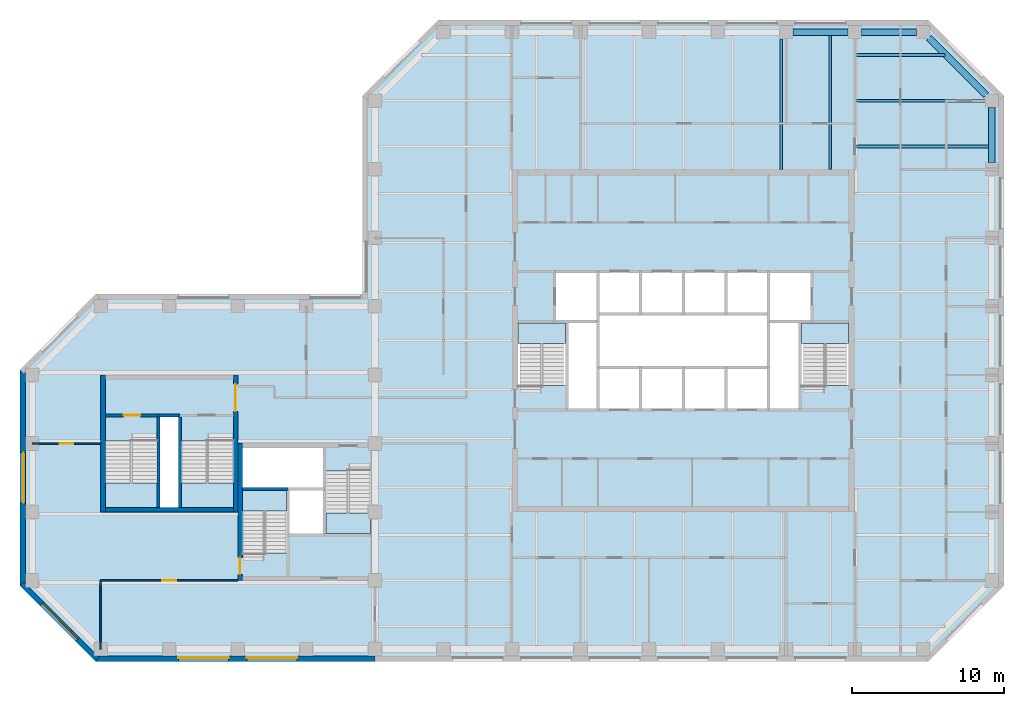
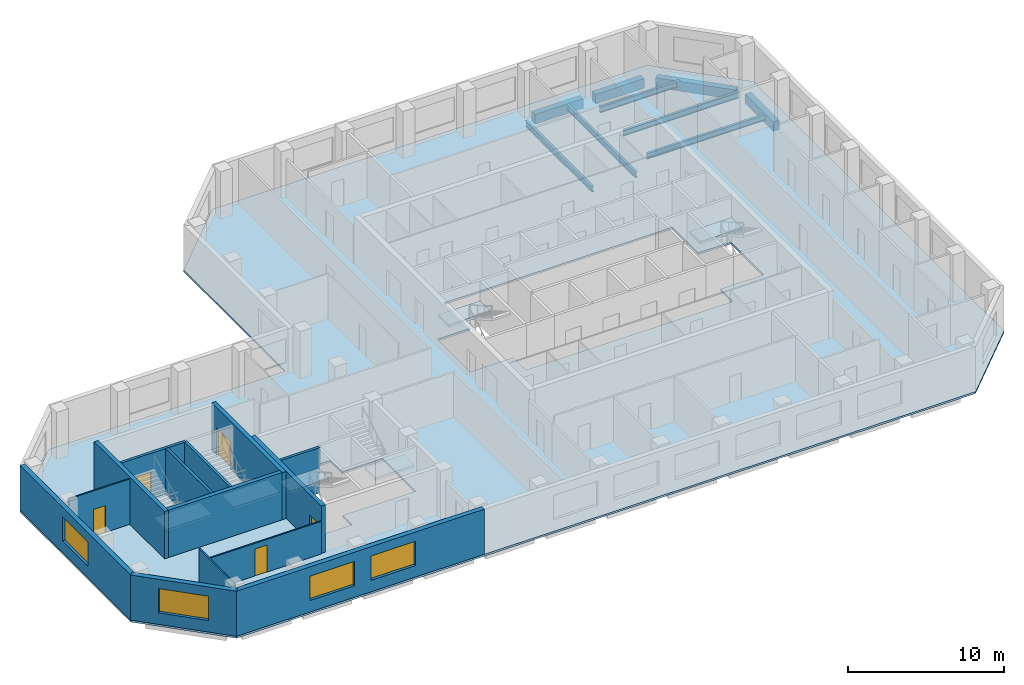
# One storey, part 2 of 9: 15 walls, 9 beams, 7 slabs, 5 doors, 4 windows, 9 openings, 6 elements without a shape of their own.
"""IFC4 building model written with IfcOpenShell, lengths in metres."""

from ifc_helpers import new_model, si_unit, direction, frame, frame_2d, origin, origin_2d, place, context, subcontext, project, spatial, polyline, rectangle, i_section, outline, extrude, material, layer, layer_set, constituent, constituent_set, material_profile, profile_set, type_object, element, fill, aggregate, save


model = new_model("IFC4")

# Units and contexts
model_context = context("Model", 3, precision=1e-05, world=origin(), true_north=direction((0.0, 1.0)))
body_context = subcontext(model_context, "Body", "Model", "MODEL_VIEW")
ifc_project = project(units=[si_unit("LENGTHUNIT", "METRE"), si_unit("AREAUNIT", "SQUARE_METRE"), si_unit("VOLUMEUNIT", "CUBIC_METRE"), si_unit("PLANEANGLEUNIT", "RADIAN"), si_unit("MASSUNIT", "GRAM", prefix="KILO")], contexts=[model_context])

# Site, building, storey
site_placement = place(None, origin())
site = spatial("IfcSite", under=ifc_project, at=site_placement, CompositionType="ELEMENT")
building_placement = place(site_placement, origin())
building = spatial("IfcBuilding", under=site, at=building_placement, Name="Quoin Convention Tower", CompositionType="ELEMENT")
storey_placement = place(building_placement, frame((0.0, 0.0, 177.300048828125)))
storey = spatial("IfcBuildingStorey", under=building, at=storey_placement, Name="L46", CompositionType="ELEMENT", Elevation=177.300048828125)

# Beams
ifc_material_1 = material(Name="Steel Grade 300", Category="steel")
ifc_material_profile_1 = material_profile(ifc_material_1, i_section(OverallWidth=0.18994140625, OverallDepth=0.4541015625, WebThickness=0.008544921875, FlangeThickness=0.0126953125, FilletRadius=0.011474609375, at=origin_2d()), Name="460UB67.1")
ifc_profile_set_1 = profile_set([ifc_material_profile_1], Name="Steel Grade 300")
beam_type_1 = type_object("IfcBeamType", Name="460UB67.1", PredefinedType="BEAM", material=ifc_profile_set_1)
beam_1_placement = place(storey_placement, frame((62.6787109375, 72.0, -0.376953125), z_axis=(0.0, 1.0, 0.0), x_axis=(-1.0, 0.0, 0.0)))
element("IfcBeam", 1, at=beam_1_placement, inside=storey, type_object=beam_type_1, Name="bm-L46-T1N5", PredefinedType="BEAM", context=body_context, shape_type="SweptSolid", body=[
    extrude(i_section(OverallWidth=0.18994140625, OverallDepth=0.4541015625, WebThickness=0.008544921875, FlangeThickness=0.0126953125, FilletRadius=0.011474609375, at=origin_2d()), origin(), (0.0, 0.0, 1.0), 8.550048828125),
])
beam_2_placement = place(storey_placement, frame((65.892822265625, 72.0, -0.376953125), z_axis=(0.0, 1.0, 0.0), x_axis=(-1.0, 0.0, 0.0)))
element("IfcBeam", 2, at=beam_2_placement, inside=storey, type_object=beam_type_1, Name="bm-L46-T1N6", PredefinedType="BEAM", context=body_context, shape_type="SweptSolid", body=[
    extrude(i_section(OverallWidth=0.18994140625, OverallDepth=0.4541015625, WebThickness=0.008544921875, FlangeThickness=0.0126953125, FilletRadius=0.011474609375, at=origin_2d()), origin(), (0.0, 0.0, 1.0), 8.77490234375),
])
beam_3_placement = place(storey_placement, frame((67.5, 79.5, -0.376953125), z_axis=(1.0, 0.0, 0.0), x_axis=(0.0, 1.0, 0.0)))
element("IfcBeam", 3, at=beam_3_placement, inside=storey, type_object=beam_type_1, Name="bm-L46-T1NE0", PredefinedType="BEAM", context=body_context, shape_type="SweptSolid", body=[
    extrude(i_section(OverallWidth=0.18994140625, OverallDepth=0.4541015625, WebThickness=0.008544921875, FlangeThickness=0.0126953125, FilletRadius=0.011474609375, at=origin_2d()), origin(), (0.0, 0.0, 1.0), 5.935791015625),
])
beam_4_placement = place(storey_placement, frame((67.5, 76.5, -0.376953125), z_axis=(1.0, 0.0, 0.0), x_axis=(0.0, 1.0, 0.0)))
element("IfcBeam", 4, at=beam_4_placement, inside=storey, type_object=beam_type_1, Name="bm-L46-T1NE1", PredefinedType="BEAM", context=body_context, shape_type="SweptSolid", body=[
    extrude(i_section(OverallWidth=0.18994140625, OverallDepth=0.4541015625, WebThickness=0.008544921875, FlangeThickness=0.0126953125, FilletRadius=0.011474609375, at=origin_2d()), origin(), (0.0, 0.0, 1.0), 8.550048828125),
])
beam_5_placement = place(storey_placement, frame((67.5, 73.5, -0.376953125), z_axis=(1.0, 0.0, 0.0), x_axis=(0.0, 1.0, 0.0)))
element("IfcBeam", 5, at=beam_5_placement, inside=storey, type_object=beam_type_1, Name="bm-L46-T1NE2", PredefinedType="BEAM", context=body_context, shape_type="SweptSolid", body=[
    extrude(i_section(OverallWidth=0.18994140625, OverallDepth=0.4541015625, WebThickness=0.008544921875, FlangeThickness=0.0126953125, FilletRadius=0.011474609375, at=origin_2d()), origin(), (0.0, 0.0, 1.0), 8.77490234375),
])
ifc_material_2 = material(Name="Concrete C50", Category="concrete")
ifc_material_profile_2 = material_profile(ifc_material_2, rectangle(XDim=0.449951171875, YDim=0.75, at=origin_2d()), Name="RC 450x750")
ifc_profile_set_2 = profile_set([ifc_material_profile_2], Name="Concrete C50")
beam_type_2 = type_object("IfcBeamType", Name="RC 450x750 C50", PredefinedType="SPANDREL", material=ifc_profile_set_2)
beam_6_placement = place(storey_placement, frame((76.5, 72.449951171875, -0.525146484375), z_axis=(0.0, 1.0, 0.0), x_axis=(-1.0, 0.0, 0.0)))
element("IfcBeam", 6, at=beam_6_placement, inside=storey, type_object=beam_type_2, Name="spd-L46-76500_72000-76500_76500", PredefinedType="SPANDREL", context=body_context, shape_type="SweptSolid", body=[
    extrude(rectangle(XDim=0.449951171875, YDim=0.75, at=origin_2d()), origin(), (0.0, 0.0, 1.0), 3.60009765625),
])
beam_7_placement = place(storey_placement, frame((76.135009765625, 76.864990234375, -0.525146484375), z_axis=(-0.707106781187, 0.707106781187, 0.0), x_axis=(-0.707106781187, -0.707106781187, 0.0)))
element("IfcBeam", 7, at=beam_7_placement, inside=storey, type_object=beam_type_2, Name="spd-L46-76500_76500-72000_81000", PredefinedType="SPANDREL", context=body_context, shape_type="SweptSolid", body=[
    extrude(rectangle(XDim=0.449951171875, YDim=0.75, at=origin_2d()), origin(), (0.0, 0.0, 1.0), 5.33154296875),
])
for number, where, z_axis, x_axis, name in (
    (8, (71.550048828125, 81.0, -0.525146484375), (-1.0, 0.0, 0.0), (0.0, -1.0, 0.0), "spd-L46-72000_81000-67500_81000"),
    (9, (67.050048828125, 81.0, -0.525146484375), (-1.0, 0.0, 0.0), (0.0, -1.0, 0.0), "spd-L46-67500_81000-63000_81000"),
):
    element("IfcBeam", number, at=place(storey_placement, frame(where, z_axis=z_axis, x_axis=x_axis)), inside=storey, type_object=beam_type_2, Name=name, PredefinedType="SPANDREL", context=body_context, shape_type="SweptSolid", body=[
        extrude(rectangle(XDim=0.449951171875, YDim=0.75, at=origin_2d()), origin(), (0.0, 0.0, 1.0), 3.60009765625),
    ])

# Slab
ifc_material_3 = material(Name="Concrete C40", Category="concrete")
ifc_layer_1 = layer(ifc_material_3, 0.14990234375)
ifc_layer_set_1 = layer_set([ifc_layer_1], Name="Concrete C40")
slab_type_1 = type_object("IfcSlabType", Name="COMPOSITE SLAB 150 C40", PredefinedType="FLOOR", material=ifc_layer_set_1)
slab_1_placement = place(storey_placement, frame((0.0, 0.0, -0.150146484375)))
element("IfcSlab", 10, at=slab_1_placement, inside=storey, type_object=slab_type_1, Name="slb-L46", PredefinedType="FLOOR", context=body_context, shape_type="SweptSolid", body=[
    extrude(outline(polyline([(17.668701171875, 39.699951171875), (12.699951171875, 44.668701171875), (12.699951171875, 58.831298828125), (17.668701171875, 63.800048828125), (35.199951171875, 63.800048828125), (35.199951171875, 76.831298828125), (40.168701171875, 81.800048828125), (72.331298828125, 81.800048828125), (77.300048828125, 76.831298828125), (77.300048828125, 44.668701171875), (72.331298828125, 39.699951171875), (17.668701171875, 39.699951171875)]), holes=[polyline([(27.300048828125, 51.0), (27.300048828125, 46.800537109375), (30.300048828125, 46.800537109375), (30.300048828125, 48.0), (32.699951171875, 48.0), (35.699951171875, 48.0), (35.699951171875, 52.199462890625), (32.699951171875, 52.199462890625), (32.699951171875, 53.699951171875), (27.300048828125, 53.699951171875), (27.300048828125, 51.0)]), polyline([(18.300048828125, 49.800048828125), (21.800048828125, 49.800048828125), (23.199951171875, 49.800048828125), (26.699951171875, 49.800048828125), (26.699951171875, 54.1494140625), (23.199951171875, 54.1494140625), (23.199951171875, 55.85009765625), (21.800048828125, 55.85009765625), (21.800048828125, 54.1494140625), (18.300048828125, 54.1494140625), (18.300048828125, 49.800048828125)]), polyline([(48.60009765625, 56.199951171875), (50.64990234375, 56.199951171875), (53.449951171875, 56.199951171875), (56.25, 56.199951171875), (59.050048828125, 56.199951171875), (61.85009765625, 56.199951171875), (63.89990234375, 56.199951171875), (63.89990234375, 57.800537109375), (67.10009765625, 57.800537109375), (67.10009765625, 62.0), (64.699951171875, 62.0), (64.699951171875, 65.300048828125), (61.85009765625, 65.300048828125), (59.050048828125, 65.300048828125), (56.25, 65.300048828125), (53.449951171875, 65.300048828125), (50.64990234375, 65.300048828125), (47.800048828125, 65.300048828125), (47.800048828125, 62.0), (45.39990234375, 62.0), (45.39990234375, 57.800537109375), (48.60009765625, 57.800537109375), (48.60009765625, 56.199951171875)])]), origin(), (0.0, 0.0, 1.0), 0.150146484375),
])

# Stair, slab
stair_type_1 = type_object("IfcStairType", Name="Exit stair two-flight 1350", PredefinedType="HALF_TURN_STAIR", material=ifc_material_3)
stair_1_placement = place(storey_placement, origin())
stair_1 = element("IfcStair", 11, at=stair_1_placement, inside=storey, type_object=stair_type_1, Name="SD1 L46", PredefinedType="HALF_TURN_STAIR")
ifc_layer_2 = layer(ifc_material_3, 0.199951171875)
ifc_layer_set_2 = layer_set([ifc_layer_2], Name="Concrete C40")
slab_type_2 = type_object("IfcSlabType", Name="Stair landing 200", PredefinedType="LANDING", material=ifc_layer_set_2)
slab_2_placement = place(storey_placement, frame((0.0, 0.0, 1.792236328125)))
slab_2 = element("IfcSlab", 12, at=slab_2_placement, type_object=slab_type_2, Name="ST1 landing 1", PredefinedType="LANDING", context=body_context, shape_type="SweptSolid", body=[
    extrude(outline(polyline([(45.39990234375, 60.550048828125), (48.5, 60.550048828125), (48.5, 61.89990234375), (45.39990234375, 61.89990234375), (45.39990234375, 60.550048828125)])), origin(), (0.0, 0.0, 1.0), 0.199951171875),
])
aggregate(stair_1, [slab_2])

stair_2_placement = place(storey_placement, origin())
stair_2 = element("IfcStair", 13, at=stair_2_placement, inside=storey, type_object=stair_type_1, Name="SD2 L46", PredefinedType="HALF_TURN_STAIR")
slab_3_placement = place(storey_placement, frame((0.0, 0.0, 1.792236328125)))
slab_3 = element("IfcSlab", 14, at=slab_3_placement, type_object=slab_type_2, Name="ST2 landing 1", PredefinedType="LANDING", context=body_context, shape_type="SweptSolid", body=[
    extrude(outline(polyline([(64.0, 60.550048828125), (67.10009765625, 60.550048828125), (67.10009765625, 61.89990234375), (64.0, 61.89990234375), (64.0, 60.550048828125)])), origin(), (0.0, 0.0, 1.0), 0.199951171875),
])
aggregate(stair_2, [slab_3])

stair_3_placement = place(storey_placement, origin())
stair_3 = element("IfcStair", 15, at=stair_3_placement, inside=storey, type_object=stair_type_1, Name="SD3 L46", PredefinedType="HALF_TURN_STAIR")
slab_4_placement = place(storey_placement, frame((0.0, 0.0, 1.792236328125)))
slab_4 = element("IfcSlab", 16, at=slab_4_placement, type_object=slab_type_2, Name="ST3 landing 1", PredefinedType="LANDING", context=body_context, shape_type="SweptSolid", body=[
    extrude(outline(polyline([(27.300048828125, 49.550048828125), (30.199951171875, 49.550048828125), (30.199951171875, 50.89990234375), (27.300048828125, 50.89990234375), (27.300048828125, 49.550048828125)])), origin(), (0.0, 0.0, 1.0), 0.199951171875),
])
aggregate(stair_3, [slab_4])

stair_4_placement = place(storey_placement, origin())
stair_4 = element("IfcStair", 17, at=stair_4_placement, inside=storey, type_object=stair_type_1, Name="SD4 L46", PredefinedType="HALF_TURN_STAIR")
slab_5_placement = place(storey_placement, frame((0.0, 0.0, 1.792236328125)))
slab_5 = element("IfcSlab", 18, at=slab_5_placement, type_object=slab_type_2, Name="ST4 landing 1", PredefinedType="LANDING", context=body_context, shape_type="SweptSolid", body=[
    extrude(outline(polyline([(35.699951171875, 49.449951171875), (32.800048828125, 49.449951171875), (32.800048828125, 48.10009765625), (35.699951171875, 48.10009765625), (35.699951171875, 49.449951171875)])), origin(), (0.0, 0.0, 1.0), 0.199951171875),
])
aggregate(stair_4, [slab_5])

stair_type_2 = type_object("IfcStairType", Name="Exit stair two-flight 1600", PredefinedType="HALF_TURN_STAIR", material=ifc_material_3)
stair_5_placement = place(storey_placement, origin())
stair_5 = element("IfcStair", 19, at=stair_5_placement, inside=storey, type_object=stair_type_2, Name="SD11 L46", PredefinedType="HALF_TURN_STAIR")
slab_6_placement = place(storey_placement, frame((0.0, 0.0, 1.792236328125)))
slab_6 = element("IfcSlab", 20, at=slab_6_placement, type_object=slab_type_2, Name="ST11 landing 1", PredefinedType="LANDING", context=body_context, shape_type="SweptSolid", body=[
    extrude(outline(polyline([(21.699951171875, 51.39990234375), (18.300048828125, 51.39990234375), (18.300048828125, 49.800048828125), (21.699951171875, 49.800048828125), (21.699951171875, 51.39990234375)])), origin(), (0.0, 0.0, 1.0), 0.199951171875),
])
aggregate(stair_5, [slab_6])

stair_6_placement = place(storey_placement, origin())
stair_6 = element("IfcStair", 21, at=stair_6_placement, inside=storey, type_object=stair_type_2, Name="SD12 L46", PredefinedType="HALF_TURN_STAIR")
slab_7_placement = place(storey_placement, frame((0.0, 0.0, 1.792236328125)))
slab_7 = element("IfcSlab", 22, at=slab_7_placement, type_object=slab_type_2, Name="ST12 landing 1", PredefinedType="LANDING", context=body_context, shape_type="SweptSolid", body=[
    extrude(outline(polyline([(26.699951171875, 51.39990234375), (23.300048828125, 51.39990234375), (23.300048828125, 49.800048828125), (26.699951171875, 49.800048828125), (26.699951171875, 51.39990234375)])), origin(), (0.0, 0.0, 1.0), 0.199951171875),
])
aggregate(stair_6, [slab_7])

# Wall, opening, window
ifc_material_4 = material(Name="Brick masonry", Category="masonry")
ifc_layer_3 = layer(ifc_material_4, 0.35009765625)
ifc_layer_set_3 = layer_set([ifc_layer_3], Name="Brick masonry")
wall_type_1 = type_object("IfcWallType", Name="Brick facade wall", PredefinedType="STANDARD", material=ifc_layer_set_3)
wall_1_placement = place(storey_placement, frame((12.875, 58.831298828125, 0.0), z_axis=(0.0, 0.0, 1.0), x_axis=(0.0, -1.0, 0.0)))
wall_1 = element("IfcWall", 23, at=wall_1_placement, inside=storey, type_object=wall_type_1, Name="fw-L46-13500_58500", PredefinedType="STANDARD", context=body_context, shape_type="SweptSolid", body=[
    extrude(rectangle(XDim=14.16259765625, YDim=0.35009765625, at=frame_2d((7.081298828125, 0.0))), origin(), (0.0, 0.0, 1.0), 3.52490234375),
])
opening_1_placement = place(wall_1_placement, frame((5.431396484375, 0.0, 0.89990234375)))
opening_1 = element("IfcOpeningElement", 24, at=opening_1_placement, cuts=wall_1, Name="Opening W-02", PredefinedType="OPENING", context=body_context, shape_type="SweptSolid", body=[
    extrude(rectangle(XDim=3.300048828125, YDim=1.89990234375, at=frame_2d((1.64990234375, 0.949951171875))), frame((0.0, 0.18505859375, 0.0), z_axis=(0.0, -1.0, 0.0), x_axis=(1.0, 0.0, 0.0)), (0.0, 0.0, 1.0), 0.3701171875),
])
ifc_material_5 = material(Name="Aluminium", Category="aluminium")
ifc_constituent_1 = constituent(ifc_material_5, Name="Frame")
ifc_material_6 = material(Name="Insulated glass", Category="glass")
ifc_constituent_2 = constituent(ifc_material_6, Name="Glazing")
ifc_constituent_set = constituent_set(constituents=[ifc_constituent_1, ifc_constituent_2], Name="Aluminium")
window_type = type_object("IfcWindowType", Name="Office window", PartitioningType="DOUBLE_PANEL_VERTICAL", PredefinedType="WINDOW", material=ifc_constituent_set)
window_1_placement = place(opening_1_placement, origin())
window_1 = element("IfcWindow", 25, at=window_1_placement, inside=storey, type_object=window_type, Name="win-L46-12875_51750", OverallHeight=1.89990234375, OverallWidth=3.300048828125, PartitioningType="SINGLE_PANEL", PredefinedType="WINDOW", context=body_context, shape_type="SweptSolid", body=[
    extrude(rectangle(XDim=3.300048828125, YDim=1.89990234375, at=frame_2d((1.64990234375, 0.949951171875))), frame((0.0, 0.0849609375, 0.0), z_axis=(0.0, -1.0, 0.0), x_axis=(1.0, 0.0, 0.0)), (0.0, 0.0, 1.0), 0.06005859375),
])
fill(opening_1, window_1)

wall_2_placement = place(storey_placement, frame((12.82373046875, 44.79248046875, 0.0), z_axis=(0.0, 0.0, 1.0), x_axis=(0.707106781187, -0.707106781187, 0.0)))
wall_2 = element("IfcWall", 26, at=wall_2_placement, inside=storey, type_object=wall_type_1, Name="fw-L46-13500_45000", PredefinedType="STANDARD", context=body_context, shape_type="SweptSolid", body=[
    extrude(rectangle(XDim=7.02685546875, YDim=0.35009765625, at=frame_2d((3.513427734375, 0.0))), origin(), (0.0, 0.0, 1.0), 3.52490234375),
])
opening_2_placement = place(wall_2_placement, frame((1.86328125, 0.0, 0.89990234375)))
opening_2 = element("IfcOpeningElement", 27, at=opening_2_placement, cuts=wall_2, Name="Opening W-02", PredefinedType="OPENING", context=body_context, shape_type="SweptSolid", body=[
    extrude(rectangle(XDim=3.300048828125, YDim=1.89990234375, at=frame_2d((1.64990234375, 0.949951171875))), frame((0.0, 0.18505859375, 0.0), z_axis=(0.0, -1.0, 0.0), x_axis=(1.0, 0.0, 0.0)), (0.0, 0.0, 1.0), 0.3701171875),
])
window_2_placement = place(opening_2_placement, origin())
window_2 = element("IfcWindow", 28, at=window_2_placement, inside=storey, type_object=window_type, Name="win-L46-15308_42308", OverallHeight=1.89990234375, OverallWidth=3.300048828125, PartitioningType="SINGLE_PANEL", PredefinedType="WINDOW", context=body_context, shape_type="SweptSolid", body=[
    extrude(rectangle(XDim=3.300048828125, YDim=1.89990234375, at=frame_2d((1.64990234375, 0.949951171875))), frame((0.0, 0.0849609375, 0.0), z_axis=(0.0, -1.0, 0.0), x_axis=(1.0, 0.0, 0.0)), (0.0, 0.0, 1.0), 0.06005859375),
])
fill(opening_2, window_2)

# Wall, openings, windows
wall_3_placement = place(storey_placement, frame((17.668701171875, 39.875, 0.0), z_axis=(0.0, 0.0, 1.0), x_axis=(1.0, 0.0, 0.0)))
wall_3 = element("IfcWall", 29, at=wall_3_placement, inside=storey, type_object=wall_type_1, Name="fw-L46-18000_40500", PredefinedType="STANDARD", context=body_context, shape_type="SweptSolid", body=[
    extrude(rectangle(XDim=18.331298828125, YDim=0.35009765625, at=frame_2d((9.16552734375, 0.0))), origin(), (0.0, 0.0, 1.0), 3.52490234375),
])
opening_3_placement = place(wall_3_placement, frame((5.431396484375, 0.0, 0.89990234375)))
opening_3 = element("IfcOpeningElement", 30, at=opening_3_placement, cuts=wall_3, Name="Opening W-02", PredefinedType="OPENING", context=body_context, shape_type="SweptSolid", body=[
    extrude(rectangle(XDim=3.300048828125, YDim=1.89990234375, at=frame_2d((1.64990234375, 0.949951171875))), frame((0.0, 0.18505859375, 0.0), z_axis=(0.0, -1.0, 0.0), x_axis=(1.0, 0.0, 0.0)), (0.0, 0.0, 1.0), 0.3701171875),
])
opening_4_placement = place(wall_3_placement, frame((9.931396484375, 0.0, 0.89990234375)))
opening_4 = element("IfcOpeningElement", 31, at=opening_4_placement, cuts=wall_3, Name="Opening W-02", PredefinedType="OPENING", context=body_context, shape_type="SweptSolid", body=[
    extrude(rectangle(XDim=3.300048828125, YDim=1.89990234375, at=frame_2d((1.64990234375, 0.949951171875))), frame((0.0, 0.18505859375, 0.0), z_axis=(0.0, -1.0, 0.0), x_axis=(1.0, 0.0, 0.0)), (0.0, 0.0, 1.0), 0.3701171875),
])
window_3_placement = place(opening_3_placement, origin())
window_3 = element("IfcWindow", 32, at=window_3_placement, inside=storey, type_object=window_type, Name="win-L46-24750_39875", OverallHeight=1.89990234375, OverallWidth=3.300048828125, PartitioningType="SINGLE_PANEL", PredefinedType="WINDOW", context=body_context, shape_type="SweptSolid", body=[
    extrude(rectangle(XDim=3.300048828125, YDim=1.89990234375, at=frame_2d((1.64990234375, 0.949951171875))), frame((0.0, 0.0849609375, 0.0), z_axis=(0.0, -1.0, 0.0), x_axis=(1.0, 0.0, 0.0)), (0.0, 0.0, 1.0), 0.06005859375),
])
fill(opening_3, window_3)
window_4_placement = place(opening_4_placement, origin())
window_4 = element("IfcWindow", 33, at=window_4_placement, inside=storey, type_object=window_type, Name="win-L46-29250_39875", OverallHeight=1.89990234375, OverallWidth=3.300048828125, PartitioningType="SINGLE_PANEL", PredefinedType="WINDOW", context=body_context, shape_type="SweptSolid", body=[
    extrude(rectangle(XDim=3.300048828125, YDim=1.89990234375, at=frame_2d((1.64990234375, 0.949951171875))), frame((0.0, 0.0849609375, 0.0), z_axis=(0.0, -1.0, 0.0), x_axis=(1.0, 0.0, 0.0)), (0.0, 0.0, 1.0), 0.06005859375),
])
fill(opening_4, window_4)

# Walls
ifc_layer_4 = layer(ifc_material_2, 0.199951171875)
ifc_layer_set_4 = layer_set([ifc_layer_4], Name="Concrete C50")
wall_type_2 = type_object("IfcWallType", Name="Core shaft wall", PredefinedType="SOLIDWALL", material=ifc_layer_set_4)
wall_4_placement = place(storey_placement, frame((27.300048828125, 51.0, 0.0), z_axis=(0.0, 0.0, 1.0), x_axis=(1.0, 0.0, 0.0)))
element("IfcWall", 34, at=wall_4_placement, inside=storey, type_object=wall_type_2, Name="cr-P2-L46-h6000_300", PredefinedType="SOLIDWALL", context=body_context, shape_type="SweptSolid", body=[
    extrude(rectangle(XDim=3.0, YDim=0.199951171875, at=frame_2d((1.5, 0.0))), origin(), (0.0, 0.0, 1.0), 3.550048828125),
])
wall_5_placement = place(storey_placement, frame((21.800048828125, 55.85009765625, 0.0), z_axis=(0.0, 0.0, 1.0), x_axis=(1.0, 0.0, 0.0)))
element("IfcWall", 35, at=wall_5_placement, inside=storey, type_object=wall_type_2, Name="cr-P6-L46-h6350_3800", PredefinedType="SOLIDWALL", context=body_context, shape_type="SweptSolid", body=[
    extrude(rectangle(XDim=1.39990234375, YDim=0.199951171875, at=frame_2d((0.699951171875, 0.0))), origin(), (0.0, 0.0, 1.0), 3.550048828125),
])

# Wall, opening, door
wall_6_placement = place(storey_placement, frame((18.300048828125, 55.85009765625, 0.0), z_axis=(0.0, 0.0, 1.0), x_axis=(1.0, 0.0, 0.0)))
wall_6 = element("IfcWall", 36, at=wall_6_placement, inside=storey, type_object=wall_type_2, Name="cr-P6-L46-h6350_300", PredefinedType="SOLIDWALL", context=body_context, shape_type="SweptSolid", body=[
    extrude(rectangle(XDim=3.5, YDim=0.199951171875, at=frame_2d((1.75, 0.0))), origin(), (0.0, 0.0, 1.0), 3.550048828125),
])
opening_5_placement = place(wall_6_placement, frame((1.199951171875, 0.0, 0.0)))
opening_5 = element("IfcOpeningElement", 37, at=opening_5_placement, cuts=wall_6, Name="Opening SD11", PredefinedType="OPENING", context=body_context, shape_type="SweptSolid", body=[
    extrude(rectangle(XDim=1.10009765625, YDim=2.10009765625, at=frame_2d((0.550048828125, 1.050048828125))), frame((0.0, 0.10986328125, 0.0), z_axis=(0.0, -1.0, 0.0), x_axis=(1.0, 0.0, 0.0)), (0.0, 0.0, 1.0), 0.219970703125),
])
ifc_material_7 = material(Name="Steel door leaf", Category="steel")
door_type_1 = type_object("IfcDoorType", Name="Stair door 1100 x 2100", OperationType="SINGLE_SWING_RIGHT", PredefinedType="DOOR", material=ifc_material_7)
door_1_placement = place(opening_5_placement, origin())
door_1 = element("IfcDoor", 38, at=door_1_placement, inside=storey, type_object=door_type_1, Name="cd-P6-L46-SA-R2-SD11", OperationType="SINGLE_SWING_RIGHT", OverallHeight=2.10009765625, OverallWidth=1.10009765625, PredefinedType="DOOR", context=body_context, shape_type="SweptSolid", body=[
    extrude(rectangle(XDim=1.10009765625, YDim=2.10009765625, at=frame_2d((0.550048828125, 1.050048828125))), frame((0.0, 0.02490234375, 0.0), z_axis=(0.0, -1.0, 0.0), x_axis=(1.0, 0.0, 0.0)), (0.0, 0.0, 1.0), 0.050048828125),
])
fill(opening_5, door_1)

# Walls
for number, where, z_axis, x_axis, name in (
    (39, (21.800048828125, 49.800048828125, 0.0), (0.0, 0.0, 1.0), (0.0, 1.0, 0.0), "cr-P6-L46-v3800_300"),
    (40, (23.199951171875, 49.800048828125, 0.0), (0.0, 0.0, 1.0), (0.0, 1.0, 0.0), "cr-P6-L46-v5200_300"),
):
    element("IfcWall", number, at=place(storey_placement, frame(where, z_axis=z_axis, x_axis=x_axis)), inside=storey, type_object=wall_type_2, Name=name, PredefinedType="SOLIDWALL", context=body_context, shape_type="SweptSolid", body=[
        extrude(rectangle(XDim=6.050048828125, YDim=0.199951171875, at=frame_2d((3.02490234375, 0.0))), origin(), (0.0, 0.0, 1.0), 3.550048828125),
    ])

# Wall, opening, door
ifc_layer_5 = layer(ifc_material_2, 0.300048828125)
ifc_layer_set_5 = layer_set([ifc_layer_5], Name="Concrete C50")
wall_type_3 = type_object("IfcWallType", Name="RC CORE WALL 300 C50", PredefinedType="SHEAR", material=ifc_layer_set_5)
wall_7_placement = place(storey_placement, frame((27.14990234375, 45.0, 0.0), z_axis=(0.0, 0.0, 1.0), x_axis=(0.0, 1.0, 0.0)))
wall_7 = element("IfcWall", 41, at=wall_7_placement, inside=storey, type_object=wall_type_3, Name="cwl-P2-L46-W", PredefinedType="SHEAR", context=body_context, shape_type="SweptSolid", body=[
    extrude(rectangle(XDim=9.0, YDim=0.300048828125, at=frame_2d((4.5, 0.0))), origin(), (0.0, 0.0, 1.0), 3.699951171875),
])
opening_6_placement = place(wall_7_placement, frame((0.39990234375, 0.0, 0.0)))
opening_6 = element("IfcOpeningElement", 42, at=opening_6_placement, cuts=wall_7, Name="Opening SD3", PredefinedType="OPENING", context=body_context, shape_type="SweptSolid", body=[
    extrude(rectangle(XDim=1.10009765625, YDim=2.10009765625, at=frame_2d((0.550048828125, 1.050048828125))), frame((0.0, 0.159912109375, 0.0), z_axis=(0.0, -1.0, 0.0), x_axis=(1.0, 0.0, 0.0)), (0.0, 0.0, 1.0), 0.320068359375),
])
door_2_placement = place(opening_6_placement, frame((1.10009765625, 0.0, 0.0), z_axis=(0.0, 0.0, 1.0), x_axis=(-1.0, 0.0, 0.0)))
door_2 = element("IfcDoor", 43, at=door_2_placement, inside=storey, type_object=door_type_1, Name="cd-P2-L46-SA-W", OperationType="SINGLE_SWING_RIGHT", OverallHeight=2.10009765625, OverallWidth=1.10009765625, PredefinedType="DOOR", context=body_context, shape_type="SweptSolid", body=[
    extrude(rectangle(XDim=1.10009765625, YDim=2.10009765625, at=frame_2d((0.550048828125, 1.050048828125))), frame((0.0, 0.02490234375, 0.0), z_axis=(0.0, -1.0, 0.0), x_axis=(1.0, 0.0, 0.0)), (0.0, 0.0, 1.0), 0.050048828125),
])
fill(opening_6, door_2)

# Walls
wall_8_placement = place(storey_placement, frame((18.300048828125, 49.64990234375, 0.0), z_axis=(0.0, 0.0, 1.0), x_axis=(1.0, 0.0, 0.0)))
element("IfcWall", 44, at=wall_8_placement, inside=storey, type_object=wall_type_3, Name="cwl-P6-L46-S", PredefinedType="SHEAR", context=body_context, shape_type="SweptSolid", body=[
    extrude(rectangle(XDim=8.39990234375, YDim=0.300048828125, at=frame_2d((4.199951171875, 0.0))), origin(), (0.0, 0.0, 1.0), 3.699951171875),
])
wall_9_placement = place(storey_placement, frame((18.14990234375, 49.5, 0.0), z_axis=(0.0, 0.0, 1.0), x_axis=(0.0, 1.0, 0.0)))
element("IfcWall", 45, at=wall_9_placement, inside=storey, type_object=wall_type_3, Name="cwl-P6-L46-W", PredefinedType="SHEAR", context=body_context, shape_type="SweptSolid", body=[
    extrude(rectangle(XDim=9.0, YDim=0.300048828125, at=frame_2d((4.5, 0.0))), origin(), (0.0, 0.0, 1.0), 3.699951171875),
])

# Wall, opening, door
wall_10_placement = place(storey_placement, frame((26.85009765625, 49.5, 0.0), z_axis=(0.0, 0.0, 1.0), x_axis=(0.0, 1.0, 0.0)))
wall_10 = element("IfcWall", 46, at=wall_10_placement, inside=storey, type_object=wall_type_3, Name="cwl-P6-L46-E", PredefinedType="SHEAR", context=body_context, shape_type="SweptSolid", body=[
    extrude(rectangle(XDim=9.0, YDim=0.300048828125, at=frame_2d((4.5, 0.0))), origin(), (0.0, 0.0, 1.0), 3.699951171875),
])
opening_7_placement = place(wall_10_placement, frame((6.60009765625, 0.0, 0.0)))
opening_7 = element("IfcOpeningElement", 47, at=opening_7_placement, cuts=wall_10, Name="Opening DCV4-45", PredefinedType="OPENING", context=body_context, shape_type="SweptSolid", body=[
    extrude(rectangle(XDim=1.800048828125, YDim=2.10009765625, at=frame_2d((0.89990234375, 1.050048828125))), frame((0.0, 0.159912109375, 0.0), z_axis=(0.0, -1.0, 0.0), x_axis=(1.0, 0.0, 0.0)), (0.0, 0.0, 1.0), 0.320068359375),
])
door_type_2 = type_object("IfcDoorType", Name="Goods lobby door 1800 x 2100", OperationType="SINGLE_SWING_LEFT", PredefinedType="DOOR", material=ifc_material_7)
door_3_placement = place(opening_7_placement, origin())
door_3 = element("IfcDoor", 48, at=door_3_placement, inside=storey, type_object=door_type_2, Name="cd-P6-L46-R2-E", OperationType="SINGLE_SWING_LEFT", OverallHeight=2.10009765625, OverallWidth=1.800048828125, PredefinedType="DOOR", context=body_context, shape_type="SweptSolid", body=[
    extrude(rectangle(XDim=1.800048828125, YDim=2.10009765625, at=frame_2d((0.89990234375, 1.050048828125))), frame((0.0, 0.02490234375, 0.0), z_axis=(0.0, -1.0, 0.0), x_axis=(1.0, 0.0, 0.0)), (0.0, 0.0, 1.0), 0.050048828125),
])
fill(opening_7, door_3)

ifc_material_8 = material(Name="Plasterboard")
ifc_layer_6 = layer(ifc_material_8, 0.012451171875, Name="Finish")
ifc_material_9 = material(Name="Steel stud framing", Category="steel")
ifc_layer_7 = layer(ifc_material_9, 0.074951171875, Name="Structure")
ifc_layer_8 = layer(ifc_material_8, 0.012451171875, Name="Finish")
ifc_layer_set_6 = layer_set([ifc_layer_6, ifc_layer_7, ifc_layer_8], Name="Steel stud framing")
wall_type_4 = type_object("IfcWallType", Name="Stud partition 100", PredefinedType="PARTITIONING", material=ifc_layer_set_6)
wall_11_placement = place(storey_placement, frame((13.5, 54.0, 0.0), z_axis=(0.0, 0.0, 1.0), x_axis=(1.0, 0.0, 0.0)))
wall_11 = element("IfcWall", 49, at=wall_11_placement, inside=storey, type_object=wall_type_4, Name="pw-L46-w04", PredefinedType="PARTITIONING", context=body_context, shape_type="SweptSolid", body=[
    extrude(rectangle(XDim=4.5, YDim=0.10009765625, at=frame_2d((2.25, 0.0))), origin(), (0.0, 0.0, 1.0), 3.550048828125),
])
opening_8_placement = place(wall_11_placement, frame((1.800048828125, 0.0, 0.0)))
opening_8 = element("IfcOpeningElement", 50, at=opening_8_placement, cuts=wall_11, Name="Opening DOH5-25", PredefinedType="OPENING", context=body_context, shape_type="SweptSolid", body=[
    extrude(rectangle(XDim=0.89990234375, YDim=2.10009765625, at=frame_2d((0.449951171875, 1.050048828125))), frame((0.0, 0.06005859375, 0.0), z_axis=(0.0, -1.0, 0.0), x_axis=(1.0, 0.0, 0.0)), (0.0, 0.0, 1.0), 0.1201171875),
])
door_type_3 = type_object("IfcDoorType", Name="Office door 900 x 2100", OperationType="SINGLE_SWING_RIGHT", PredefinedType="DOOR", material=ifc_material_7)
door_4_placement = place(opening_8_placement, origin())
door_4 = element("IfcDoor", 51, at=door_4_placement, inside=storey, type_object=door_type_3, Name="dr-L46-w04", OperationType="SINGLE_SWING_RIGHT", OverallHeight=2.10009765625, OverallWidth=0.89990234375, PredefinedType="DOOR", context=body_context, shape_type="SweptSolid", body=[
    extrude(rectangle(XDim=0.89990234375, YDim=2.10009765625, at=frame_2d((0.449951171875, 1.050048828125))), frame((0.0, 0.02490234375, 0.0), z_axis=(0.0, -1.0, 0.0), x_axis=(1.0, 0.0, 0.0)), (0.0, 0.0, 1.0), 0.050048828125),
])
fill(opening_8, door_4)

# Wall
wall_12_placement = place(storey_placement, frame((18.0, 40.5, 0.0), z_axis=(0.0, 0.0, 1.0), x_axis=(0.0, 1.0, 0.0)))
element("IfcWall", 52, at=wall_12_placement, inside=storey, type_object=wall_type_4, Name="pw-L46-w05", PredefinedType="PARTITIONING", context=body_context, shape_type="SweptSolid", body=[
    extrude(rectangle(XDim=4.5, YDim=0.10009765625, at=frame_2d((2.25, 0.0))), origin(), (0.0, 0.0, 1.0), 3.550048828125),
])

# Wall, opening, door
ifc_layer_9 = layer(ifc_material_8, 0.012451171875, Name="Finish")
ifc_layer_10 = layer(ifc_material_9, 0.074951171875, Name="Structure")
ifc_layer_11 = layer(ifc_material_8, 0.012451171875, Name="Finish")
ifc_layer_set_7 = layer_set([ifc_layer_9, ifc_layer_10, ifc_layer_11], Name="Steel stud framing")
wall_type_5 = type_object("IfcWallType", Name="Stud partition 100 under beam 1000", PredefinedType="PARTITIONING", material=ifc_layer_set_7)
wall_13_placement = place(storey_placement, frame((18.0, 45.0, 0.0), z_axis=(0.0, 0.0, 1.0), x_axis=(1.0, 0.0, 0.0)))
wall_13 = element("IfcWall", 53, at=wall_13_placement, inside=storey, type_object=wall_type_5, Name="pw-L46-w06", PredefinedType="PARTITIONING", context=body_context, shape_type="SweptSolid", body=[
    extrude(rectangle(XDim=9.0, YDim=0.10009765625, at=frame_2d((4.5, 0.0))), origin(), (0.0, 0.0, 1.0), 2.550048828125),
])
opening_9_placement = place(wall_13_placement, frame((4.050048828125, 0.0, 0.0)))
opening_9 = element("IfcOpeningElement", 54, at=opening_9_placement, cuts=wall_13, Name="Opening DOH5-26", PredefinedType="OPENING", context=body_context, shape_type="SweptSolid", body=[
    extrude(rectangle(XDim=0.89990234375, YDim=2.10009765625, at=frame_2d((0.449951171875, 1.050048828125))), frame((0.0, 0.06005859375, 0.0), z_axis=(0.0, -1.0, 0.0), x_axis=(1.0, 0.0, 0.0)), (0.0, 0.0, 1.0), 0.1201171875),
])
door_5_placement = place(opening_9_placement, origin())
door_5 = element("IfcDoor", 55, at=door_5_placement, inside=storey, type_object=door_type_3, Name="dr-L46-w05", OperationType="SINGLE_SWING_RIGHT", OverallHeight=2.10009765625, OverallWidth=0.89990234375, PredefinedType="DOOR", context=body_context, shape_type="SweptSolid", body=[
    extrude(rectangle(XDim=0.89990234375, YDim=2.10009765625, at=frame_2d((0.449951171875, 1.050048828125))), frame((0.0, 0.02490234375, 0.0), z_axis=(0.0, -1.0, 0.0), x_axis=(1.0, 0.0, 0.0)), (0.0, 0.0, 1.0), 0.050048828125),
])
fill(opening_9, door_5)

save(model, "model.ifc")
